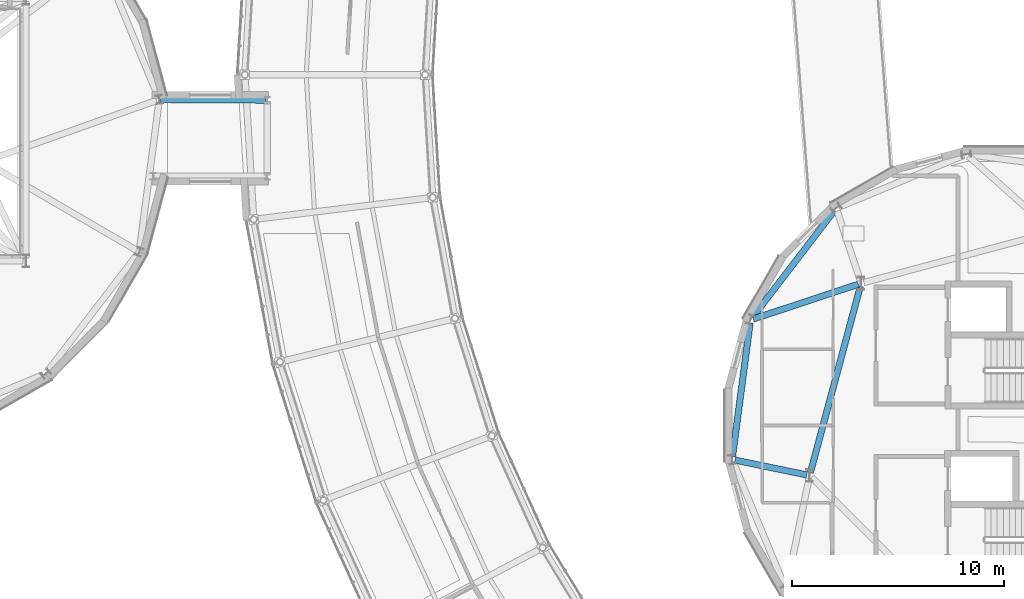
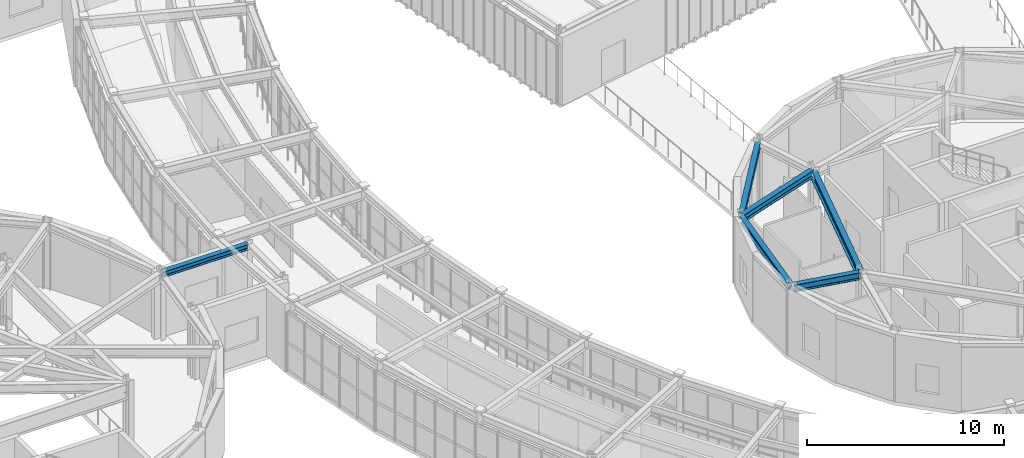
# One storey, part 23 of 103: 6 beams.
"""IFC4 building model written with IfcOpenShell, lengths in metres."""

from ifc_helpers import new_model, si_unit, direction, frame, origin, origin_2d, place, context, subcontext, project, spatial, i_section, extrude, material, material_profile, profile_set, type_object, element, save


model = new_model("IFC4")

# Units and contexts
model_context = context("Model", 3, precision=1e-05, world=origin(), true_north=direction((0.0, 1.0)))
body_context = subcontext(model_context, "Body", "Model", "MODEL_VIEW")
ifc_project = project(units=[si_unit("LENGTHUNIT", "METRE"), si_unit("AREAUNIT", "SQUARE_METRE"), si_unit("VOLUMEUNIT", "CUBIC_METRE"), si_unit("PLANEANGLEUNIT", "RADIAN"), si_unit("MASSUNIT", "GRAM", prefix="KILO")], contexts=[model_context])

# Site, building, storey
site_placement = place(None, origin())
site = spatial("IfcSite", under=ifc_project, at=site_placement, CompositionType="ELEMENT")
building_placement = place(site_placement, origin())
building = spatial("IfcBuilding", under=site, at=building_placement, Name="Varnklinge Art Gallery", CompositionType="ELEMENT")
storey_placement = place(building_placement, frame((0.0, 0.0, 5.10009765625)))
storey = spatial("IfcBuildingStorey", under=building, at=storey_placement, Name="L01", CompositionType="ELEMENT", Elevation=5.10009765625)

# Beams
ifc_material_1 = material(Name="Steel S355", Category="steel")
ifc_material_profile_1 = material_profile(ifc_material_1, i_section(OverallWidth=0.300048828125, OverallDepth=0.590087890625, WebThickness=0.012939453125, FlangeThickness=0.02490234375, FilletRadius=0.027099609375, at=origin_2d()), Name="HEA 600")
ifc_profile_set_1 = profile_set([ifc_material_profile_1], Name="Steel S355")
beam_type_1 = type_object("IfcBeamType", Name="BM-06", PredefinedType="BEAM", material=ifc_profile_set_1)
beam_1_placement = place(storey_placement, frame((68.81689453125, 45.01171875, 3.90478515625), z_axis=(-0.258808787016, -0.965928574877, 0.0), x_axis=(0.965928574877, -0.258808787016, 0.0)))
element("IfcBeam", 1, at=beam_1_placement, inside=storey, type_object=beam_type_1, Name="L01 BM-06 BM-V4D-L02-I3", PredefinedType="BEAM", context=body_context, shape_type="SweptSolid", body=[
    extrude(i_section(OverallWidth=0.300048828125, OverallDepth=0.590087890625, WebThickness=0.012939453125, FlangeThickness=0.02490234375, FilletRadius=0.027099609375, at=origin_2d()), origin(), (0.0, 0.0, 1.0), 9.1201171875),
])
ifc_material_2 = material(Name="Steel S355", Category="steel")
ifc_material_profile_2 = material_profile(ifc_material_2, i_section(OverallWidth=0.300048828125, OverallDepth=0.43994140625, WebThickness=0.011474609375, FlangeThickness=0.02099609375, FilletRadius=0.027099609375, at=origin_2d()), Name="HEA 450")
ifc_profile_set_2 = profile_set([ifc_material_profile_2], Name="Steel S355")
beam_type_2 = type_object("IfcBeamType", Name="BM-08", PredefinedType="BEAM", material=ifc_profile_set_2)
beam_2_placement = place(storey_placement, frame((68.72021484375, 45.102783203125, 3.97998046875), z_axis=(-0.949354152102, -0.314208042366, 0.0), x_axis=(0.314208042366, -0.949354152102, 0.0)))
element("IfcBeam", 2, at=beam_2_placement, inside=storey, type_object=beam_type_2, Name="L01 BM-08 BM-V4D-L02-R06", PredefinedType="BEAM", context=body_context, shape_type="SweptSolid", body=[
    extrude(i_section(OverallWidth=0.300048828125, OverallDepth=0.43994140625, WebThickness=0.011474609375, FlangeThickness=0.02099609375, FilletRadius=0.027099609375, at=origin_2d()), origin(), (0.0, 0.0, 1.0), 5.223876953125),
])
beam_3_placement = place(storey_placement, frame((66.283203125, 36.095458984375, 3.97998046875), z_axis=(-0.979353549328, 0.202154953982, 0.0), x_axis=(-0.202154953982, -0.979353549328, 0.0)))
element("IfcBeam", 3, at=beam_3_placement, inside=storey, type_object=beam_type_2, Name="L01 BM-08 BM-V4D-L02-R07", PredefinedType="BEAM", context=body_context, shape_type="SweptSolid", body=[
    extrude(i_section(OverallWidth=0.300048828125, OverallDepth=0.43994140625, WebThickness=0.011474609375, FlangeThickness=0.02099609375, FilletRadius=0.027099609375, at=origin_2d()), origin(), (0.0, 0.0, 1.0), 3.45751953125),
])
ifc_material_3 = material(Name="Steel S355", Category="steel")
ifc_material_profile_3 = material_profile(ifc_material_3, i_section(OverallWidth=0.300048828125, OverallDepth=0.35009765625, WebThickness=0.010009765625, FlangeThickness=0.017578125, FilletRadius=0.027099609375, at=origin_2d()), Name="HEA 360")
ifc_profile_set_3 = profile_set([ifc_material_profile_3], Name="Steel S355")
beam_type_3 = type_object("IfcBeamType", Name="BM-10", PredefinedType="BEAM", material=ifc_profile_set_3)
beam_4_placement = place(storey_placement, frame((40.739990234375, 53.80029296875, 3.994873046875), z_axis=(-0.999982696018, 0.005882827901, 0.0), x_axis=(-0.005882827901, -0.999982696018, 0.0)))
element("IfcBeam", 4, at=beam_4_placement, inside=storey, type_object=beam_type_3, Name="L01 BM-10 BM-LNK-V3-ROOF-3", PredefinedType="BEAM", context=body_context, shape_type="SweptSolid", body=[
    extrude(i_section(OverallWidth=0.300048828125, OverallDepth=0.35009765625, WebThickness=0.010009765625, FlangeThickness=0.017578125, FilletRadius=0.027099609375, at=origin_2d()), origin(), (0.0, 0.0, 1.0), 4.97998046875),
])
ifc_material_4 = material(Name="Steel S355", Category="steel")
ifc_material_profile_4 = material_profile(ifc_material_4, i_section(OverallWidth=0.300048828125, OverallDepth=0.389892578125, WebThickness=0.010986328125, FlangeThickness=0.01904296875, FilletRadius=0.027099609375, at=origin_2d()), Name="HEA 400")
ifc_profile_set_4 = profile_set([ifc_material_profile_4], Name="Steel S355")
beam_type_4 = type_object("IfcBeamType", Name="SPB-03", PredefinedType="SPANDREL", material=ifc_profile_set_4)
beam_5_placement = place(storey_placement, frame((67.59228515625, 48.58349609375, 4.0048828125), z_axis=(-0.608773359857, -0.793344185287, 0.0), x_axis=(0.793344185287, -0.608773359857, 0.0)))
element("IfcBeam", 5, at=beam_5_placement, inside=storey, type_object=beam_type_4, Name="L01 SPB-03 BM-V4D-L02-P05", PredefinedType="SPANDREL", context=body_context, shape_type="SweptSolid", body=[
    extrude(i_section(OverallWidth=0.300048828125, OverallDepth=0.389892578125, WebThickness=0.010986328125, FlangeThickness=0.01904296875, FilletRadius=0.027099609375, at=origin_2d()), origin(), (0.0, 0.0, 1.0), 6.37158203125),
])
beam_6_placement = place(storey_placement, frame((63.60986328125, 43.27880859375, 4.0048828125), z_axis=(-0.130502087099, -0.991448034575, 0.0), x_axis=(0.991448034575, -0.130502087099, 0.0)))
element("IfcBeam", 6, at=beam_6_placement, inside=storey, type_object=beam_type_4, Name="L01 SPB-03 BM-V4D-L02-P06", PredefinedType="SPANDREL", context=body_context, shape_type="SweptSolid", body=[
    extrude(i_section(OverallWidth=0.300048828125, OverallDepth=0.389892578125, WebThickness=0.010986328125, FlangeThickness=0.01904296875, FilletRadius=0.027099609375, at=origin_2d()), origin(), (0.0, 0.0, 1.0), 6.371826171875),
])

save(model, "model.ifc")
